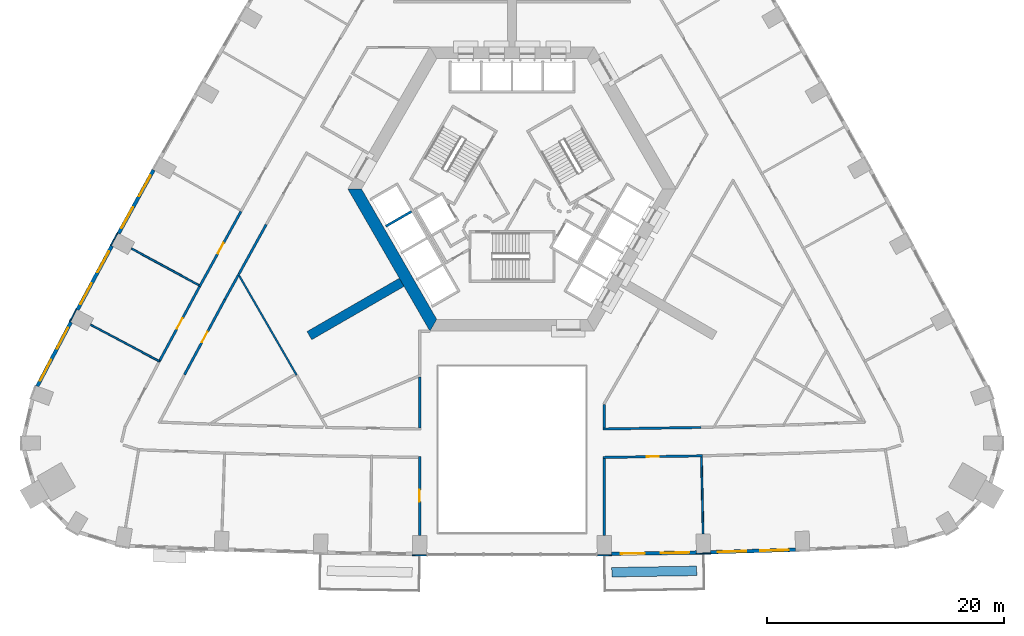
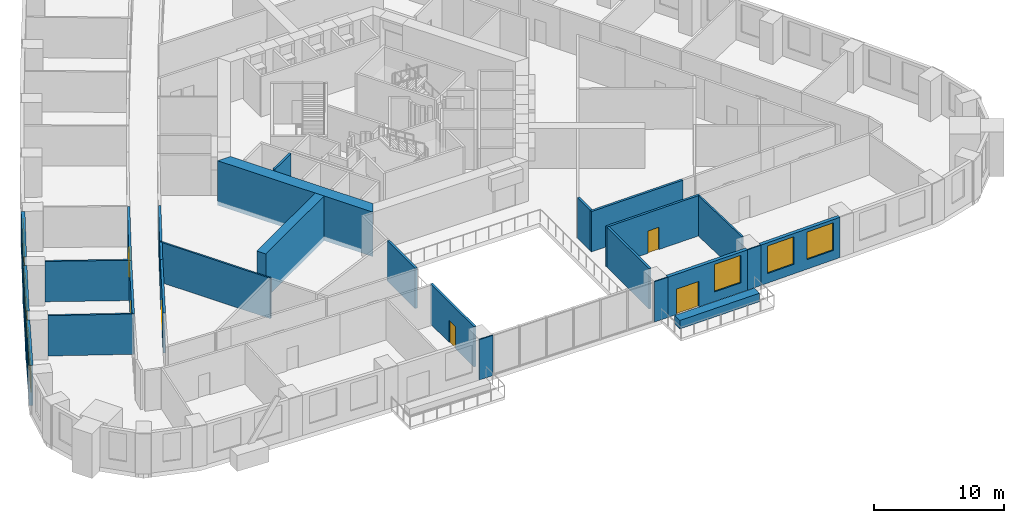
# One storey, part 5 of 15: 29 walls, 9 windows, 6 doors, 15 openings.
"""IFC4 building model written with IfcOpenShell, lengths in metres."""

from ifc_helpers import new_model, si_unit, direction, frame, frame_2d, origin, place, context, subcontext, project, spatial, polyline, rectangle, outline, extrude, material, layer, layer_set, type_object, element, fill, save


model = new_model("IFC4")

# Units and contexts
model_context = context("Model", 3, precision=1e-05, world=origin(), true_north=direction((0.0, 1.0)))
body_context = subcontext(model_context, "Body", "Model", "MODEL_VIEW")
ifc_project = project(units=[si_unit("LENGTHUNIT", "METRE"), si_unit("AREAUNIT", "SQUARE_METRE"), si_unit("VOLUMEUNIT", "CUBIC_METRE"), si_unit("PLANEANGLEUNIT", "RADIAN"), si_unit("MASSUNIT", "GRAM", prefix="KILO")], contexts=[model_context])

# Site, building, storey
site_placement = place(None, origin())
site = spatial("IfcSite", under=ifc_project, at=site_placement, CompositionType="ELEMENT")
building_placement = place(site_placement, origin())
building = spatial("IfcBuilding", under=site, at=building_placement, Name="Entoto Arch Interchange Tower", CompositionType="ELEMENT")
storey_placement = place(building_placement, frame((0.0, 0.0, 39.199951171875)))
storey = spatial("IfcBuildingStorey", under=building, at=storey_placement, Name="L07", CompositionType="ELEMENT", Elevation=39.199951171875)

# Walls
ifc_material_1 = material(Name="Concrete C60/75", Category="concrete")
ifc_layer_1 = layer(ifc_material_1, 0.800048828125)
ifc_layer_set_1 = layer_set([ifc_layer_1], Name="Concrete C60/75")
wall_type_1 = type_object("IfcWallType", Name="Buttress wall 800 C60/75", PredefinedType="SHEAR", material=ifc_layer_set_1)
wall_1_placement = place(storey_placement, frame((-9.31005859375, -5.375, -0.39990234375), z_axis=(0.0, 0.0, 1.0), x_axis=(-0.866017533419, -0.500013631625, 0.0)))
element("IfcWall", 1, at=wall_1_placement, inside=storey, type_object=wall_type_1, Name="Buttress wall SW L07", PredefinedType="SHEAR", context=body_context, shape_type="SweptSolid", body=[
    extrude(rectangle(XDim=8.999755859375, YDim=0.800048828125, at=frame_2d((4.5, 0.0))), origin(), (0.0, 0.0, 1.0), 4.199951171875),
])
ifc_layer_2 = layer(ifc_material_1, 1.0)
ifc_layer_set_2 = layer_set([ifc_layer_2], Name="Concrete C60/75")
wall_type_2 = type_object("IfcWallType", Name="Core wall 1000 C60/75", PredefinedType="SHEAR", material=ifc_layer_set_2)
wall_2_placement = place(storey_placement, frame((0.0, 0.0, -0.39990234375)))
element("IfcWall", 2, at=wall_2_placement, inside=storey, type_object=wall_type_2, Name="Core wall SW L07", PredefinedType="SHEAR", context=body_context, shape_type="SweptSolid", body=[
    extrude(outline(polyline([(-13.85595703125, 2.5), (-6.927978515625, -9.5), (-6.35107421875, -8.5), (-12.701904296875, 2.5), (-13.85595703125, 2.5)])), origin(), (0.0, 0.0, 1.0), 4.199951171875),
])
ifc_material_2 = material(Name="Concrete C40/50", Category="concrete")
ifc_layer_3 = layer(ifc_material_2, 0.199951171875)
ifc_layer_set_3 = layer_set([ifc_layer_3], Name="Concrete C40/50")
wall_type_3 = type_object("IfcWallType", Name="LIFT SHAFT WALL 200", PredefinedType="STANDARD", material=ifc_layer_set_3)
wall_3_placement = place(storey_placement, frame((-8.488037109375, 0.60205078125, 0.0), z_axis=(0.0, 0.0, 1.0), x_axis=(-0.866022959057, -0.500004234368, 0.0)))
element("IfcWall", 3, at=wall_3_placement, inside=storey, type_object=wall_type_3, Name="Shaft wall SW3 cross 2", PredefinedType="STANDARD", context=body_context, shape_type="SweptSolid", body=[
    extrude(rectangle(XDim=2.5, YDim=0.199951171875, at=frame_2d((1.25, 0.0))), origin(), (0.0, 0.0, 1.0), 3.800048828125),
])
ifc_material_3 = material(Name="Gypsum board partition on steel studs", Category="steel")
ifc_layer_4 = layer(ifc_material_3, 0.14990234375)
ifc_layer_set_4 = layer_set([ifc_layer_4], Name="Gypsum board partition on steel studs")
wall_type_4 = type_object("IfcWallType", Name="PARTITION 150", PredefinedType="PARTITIONING", material=ifc_layer_set_4)
wall_4_placement = place(storey_placement, frame((-18.181884765625, -13.20703125, 0.0), z_axis=(0.0, 0.0, 1.0), x_axis=(-0.500081416649, 0.865978392757, 0.0)))
element("IfcWall", 4, at=wall_4_placement, inside=storey, type_object=wall_type_4, Name="wall:L07:p122", PredefinedType="PARTITIONING", context=body_context, shape_type="SweptSolid", body=[
    extrude(rectangle(XDim=9.890380859375, YDim=0.14990234375, at=frame_2d((4.9453125, 0.0))), origin(), (0.0, 0.0, 1.0), 3.800048828125),
])
wall_5_placement = place(storey_placement, frame((15.988037109375, -20.123046875, 0.0), z_axis=(0.0, 0.0, 1.0), x_axis=(0.022230127358, -0.999752880185, 0.0)))
element("IfcWall", 5, at=wall_5_placement, inside=storey, type_object=wall_type_4, Name="wall:L07:p126", PredefinedType="PARTITIONING", context=body_context, shape_type="SweptSolid", body=[
    extrude(rectangle(XDim=6.479736328125, YDim=0.14990234375, at=frame_2d((3.23974609375, 0.0))), origin(), (0.0, 0.0, 1.0), 3.800048828125),
])
wall_6_placement = place(storey_placement, frame((-26.425048828125, -5.623046875, 0.0), z_axis=(0.0, 0.0, 1.0), x_axis=(-0.87825523631, 0.478192157919, 0.0)))
element("IfcWall", 6, at=wall_6_placement, inside=storey, type_object=wall_type_4, Name="wall:L07:p142", PredefinedType="PARTITIONING", context=body_context, shape_type="SweptSolid", body=[
    extrude(rectangle(XDim=6.48095703125, YDim=0.14990234375, at=frame_2d((3.240478515625, 0.0))), origin(), (0.0, 0.0, 1.0), 3.800048828125),
])
wall_7_placement = place(storey_placement, frame((-29.763916015625, -12.0400390625, 0.0), z_axis=(0.0, 0.0, 1.0), x_axis=(-0.883018657393, 0.469337885426, 0.0)))
element("IfcWall", 7, at=wall_7_placement, inside=storey, type_object=wall_type_4, Name="wall:L07:p143", PredefinedType="PARTITIONING", context=body_context, shape_type="SweptSolid", body=[
    extrude(rectangle(XDim=6.579833984375, YDim=0.14990234375, at=frame_2d((3.2900390625, 0.0))), origin(), (0.0, 0.0, 1.0), 3.800048828125),
])
ifc_layer_5 = layer(ifc_material_3, 0.199951171875)
ifc_layer_set_5 = layer_set([ifc_layer_5], Name="Gypsum board partition on steel studs")
wall_type_5 = type_object("IfcWallType", Name="PARTITION 200", PredefinedType="PARTITIONING", material=ifc_layer_set_5)
wall_8_placement = place(storey_placement, frame((7.699951171875, -17.758056640625, 0.0), z_axis=(0.0, 0.0, 1.0), x_axis=(0.999865574926, 0.016396099485, 0.0)))
element("IfcWall", 8, at=wall_8_placement, inside=storey, type_object=wall_type_5, Name="wall:L07:p014", PredefinedType="PARTITIONING", context=body_context, shape_type="SweptSolid", body=[
    extrude(rectangle(XDim=8.234375, YDim=0.199951171875, at=frame_2d((4.1171875, 0.0))), origin(), (0.0, 0.0, 1.0), 3.800048828125),
])
wall_9_placement = place(storey_placement, frame((-20.7509765625, -0.5048828125, 0.0), z_axis=(0.0, 0.0, 1.0), x_axis=(-0.482566110981, -0.875859548405, 0.0)))
element("IfcWall", 9, at=wall_9_placement, inside=storey, type_object=wall_type_5, Name="wall:L07:p027", PredefinedType="PARTITIONING", context=body_context, shape_type="SweptSolid", body=[
    extrude(rectangle(XDim=4.74755859375, YDim=0.199951171875, at=frame_2d((2.373779296875, 0.0))), origin(), (0.0, 0.0, 1.0), 3.800048828125),
])
wall_10_placement = place(storey_placement, frame((-23.114013671875, -4.7939453125, 0.0), z_axis=(0.0, 0.0, 1.0), x_axis=(-0.482482362329, -0.875905685586, 0.0)))
element("IfcWall", 10, at=wall_10_placement, inside=storey, type_object=wall_type_5, Name="wall:L07:p029", PredefinedType="PARTITIONING", context=body_context, shape_type="SweptSolid", body=[
    extrude(rectangle(XDim=2.31103515625, YDim=0.199951171875, at=frame_2d((1.155517578125, 0.0))), origin(), (0.0, 0.0, 1.0), 3.800048828125),
])

# Wall, opening, door
wall_11_placement = place(storey_placement, frame((-24.22900390625, -6.818115234375, 0.0), z_axis=(0.0, 0.0, 1.0), x_axis=(-0.473714049803, -0.88067871498, 0.0)))
wall_11 = element("IfcWall", 11, at=wall_11_placement, inside=storey, type_object=wall_type_5, Name="wall:L07:p030", PredefinedType="PARTITIONING", context=body_context, shape_type="SweptSolid", body=[
    extrude(rectangle(XDim=7.208984375, YDim=0.199951171875, at=frame_2d((3.6044921875, 0.0))), origin(), (0.0, 0.0, 1.0), 3.800048828125),
])
opening_1_placement = place(wall_11_placement, frame((3.10400390625, 0.0, 0.0)))
opening_1 = element("IfcOpeningElement", 12, at=opening_1_placement, cuts=wall_11, Name="Opening L07-D32", PredefinedType="OPENING", context=body_context, shape_type="SweptSolid", body=[
    extrude(rectangle(XDim=1.0, YDim=2.10009765625, at=frame_2d((0.5, 1.050048828125))), frame((0.0, 0.10986328125, 0.0), z_axis=(0.0, -1.0, 0.0), x_axis=(1.0, 0.0, 0.0)), (0.0, 0.0, 1.0), 0.219970703125),
])
ifc_material_4 = material(Name="Timber door leaf in Steel S235 frame", Category="steel")
door_type_1 = type_object("IfcDoorType", Name="DOOR DS-10 1000x2100", OperationType="SINGLE_SWING_LEFT", PredefinedType="DOOR", material=ifc_material_4)
door_1_placement = place(opening_1_placement, origin())
door_1 = element("IfcDoor", 13, at=door_1_placement, inside=storey, type_object=door_type_1, Name="door:L07:32", OperationType="SINGLE_SWING_RIGHT", OverallHeight=2.10009765625, OverallWidth=1.0, PredefinedType="DOOR", context=body_context, shape_type="SweptSolid", body=[
    extrude(rectangle(XDim=1.0, YDim=2.10009765625, at=frame_2d((0.5, 1.050048828125))), frame((0.0, 0.02490234375, 0.0), z_axis=(0.0, -1.0, 0.0), x_axis=(1.0, 0.0, 0.0)), (0.0, 0.0, 1.0), 0.050048828125),
])
fill(opening_1, door_1)

wall_12_placement = place(storey_placement, frame((16.06103515625, -20.02197265625, 0.0), z_axis=(0.0, 0.0, 1.0), x_axis=(-0.999865858466, -0.016378799504, 0.0)))
wall_12 = element("IfcWall", 14, at=wall_12_placement, inside=storey, type_object=wall_type_5, Name="wall:L07:p035", PredefinedType="PARTITIONING", context=body_context, shape_type="SweptSolid", body=[
    extrude(rectangle(XDim=8.3623046875, YDim=0.199951171875, at=frame_2d((4.18115234375, 0.0))), origin(), (0.0, 0.0, 1.0), 3.800048828125),
])
opening_2_placement = place(wall_12_placement, frame((3.680908203125, 0.0, 0.0)))
opening_2 = element("IfcOpeningElement", 15, at=opening_2_placement, cuts=wall_12, Name="Opening L07-D01", PredefinedType="OPENING", context=body_context, shape_type="SweptSolid", body=[
    extrude(rectangle(XDim=1.0, YDim=2.10009765625, at=frame_2d((0.5, 1.050048828125))), frame((0.0, 0.10986328125, 0.0), z_axis=(0.0, -1.0, 0.0), x_axis=(1.0, 0.0, 0.0)), (0.0, 0.0, 1.0), 0.219970703125),
])
door_2_placement = place(opening_2_placement, origin())
door_2 = element("IfcDoor", 16, at=door_2_placement, inside=storey, type_object=door_type_1, Name="door:L07:01", OperationType="SINGLE_SWING_RIGHT", OverallHeight=2.10009765625, OverallWidth=1.0, PredefinedType="DOOR", context=body_context, shape_type="SweptSolid", body=[
    extrude(rectangle(XDim=1.0, YDim=2.10009765625, at=frame_2d((0.5, 1.050048828125))), frame((0.0, 0.02490234375, 0.0), z_axis=(0.0, -1.0, 0.0), x_axis=(1.0, 0.0, 0.0)), (0.0, 0.0, 1.0), 0.050048828125),
])
fill(opening_2, door_2)

wall_13_placement = place(storey_placement, frame((-26.373046875, -5.736083984375, 0.0), z_axis=(0.0, 0.0, 1.0), x_axis=(0.482587313112, 0.875847866483, 0.0)))
wall_13 = element("IfcWall", 17, at=wall_13_placement, inside=storey, type_object=wall_type_5, Name="wall:L07:p064", PredefinedType="PARTITIONING", context=body_context, shape_type="SweptSolid", body=[
    extrude(rectangle(XDim=7.23193359375, YDim=0.199951171875, at=frame_2d((3.615966796875, 0.0))), origin(), (0.0, 0.0, 1.0), 3.800048828125),
])
opening_3_placement = place(wall_13_placement, frame((3.19091796875, 0.0, 0.0)))
opening_3 = element("IfcOpeningElement", 18, at=opening_3_placement, cuts=wall_13, Name="Opening L07-D17", PredefinedType="OPENING", context=body_context, shape_type="SweptSolid", body=[
    extrude(rectangle(XDim=1.0, YDim=2.10009765625, at=frame_2d((0.5, 1.050048828125))), frame((0.0, 0.10986328125, 0.0), z_axis=(0.0, -1.0, 0.0), x_axis=(1.0, 0.0, 0.0)), (0.0, 0.0, 1.0), 0.219970703125),
])
door_3_placement = place(opening_3_placement, origin())
door_3 = element("IfcDoor", 19, at=door_3_placement, inside=storey, type_object=door_type_1, Name="door:L07:17", OperationType="SINGLE_SWING_LEFT", OverallHeight=2.10009765625, OverallWidth=1.0, PredefinedType="DOOR", context=body_context, shape_type="SweptSolid", body=[
    extrude(rectangle(XDim=1.0, YDim=2.10009765625, at=frame_2d((0.5, 1.050048828125))), frame((0.0, 0.02490234375, 0.0), z_axis=(0.0, -1.0, 0.0), x_axis=(1.0, 0.0, 0.0)), (0.0, 0.0, 1.0), 0.050048828125),
])
fill(opening_3, door_3)

wall_14_placement = place(storey_placement, frame((-29.799072265625, -12.10595703125, 0.0), z_axis=(0.0, 0.0, 1.0), x_axis=(0.473681086062, 0.880696445268, 0.0)))
wall_14 = element("IfcWall", 20, at=wall_14_placement, inside=storey, type_object=wall_type_5, Name="wall:L07:p065", PredefinedType="PARTITIONING", context=body_context, shape_type="SweptSolid", body=[
    extrude(rectangle(XDim=7.232666015625, YDim=0.199951171875, at=frame_2d((3.6162109375, 0.0))), origin(), (0.0, 0.0, 1.0), 3.800048828125),
])
opening_4_placement = place(wall_14_placement, frame((3.19091796875, 0.0, 0.0)))
opening_4 = element("IfcOpeningElement", 21, at=opening_4_placement, cuts=wall_14, Name="Opening L07-D18", PredefinedType="OPENING", context=body_context, shape_type="SweptSolid", body=[
    extrude(rectangle(XDim=1.0, YDim=2.10009765625, at=frame_2d((0.5, 1.050048828125))), frame((0.0, 0.10986328125, 0.0), z_axis=(0.0, -1.0, 0.0), x_axis=(1.0, 0.0, 0.0)), (0.0, 0.0, 1.0), 0.219970703125),
])
door_4_placement = place(opening_4_placement, origin())
door_4 = element("IfcDoor", 22, at=door_4_placement, inside=storey, type_object=door_type_1, Name="door:L07:18", OperationType="SINGLE_SWING_RIGHT", OverallHeight=2.10009765625, OverallWidth=1.0, PredefinedType="DOOR", context=body_context, shape_type="SweptSolid", body=[
    extrude(rectangle(XDim=1.0, YDim=2.10009765625, at=frame_2d((0.5, 1.050048828125))), frame((0.0, 0.02490234375, 0.0), z_axis=(0.0, -1.0, 0.0), x_axis=(1.0, 0.0, 0.0)), (0.0, 0.0, 1.0), 0.050048828125),
])
fill(opening_4, door_4)

# Walls
wall_15_placement = place(storey_placement, frame((7.800048828125, -15.68994140625, 0.0), z_axis=(0.0, 0.0, 1.0), x_axis=(0.0, -1.0, 0.0)))
element("IfcWall", 23, at=wall_15_placement, inside=storey, type_object=wall_type_5, Name="wall:L07:p104", PredefinedType="PARTITIONING", context=body_context, shape_type="SweptSolid", body=[
    extrude(rectangle(XDim=1.967041015625, YDim=0.199951171875, at=frame_2d((0.9833984375, 0.0))), origin(), (0.0, 0.0, 1.0), 3.800048828125),
])
wall_16_placement = place(storey_placement, frame((-7.800048828125, -17.656982421875, 0.0), z_axis=(0.0, 0.0, 1.0), x_axis=(0.0, 1.0, 0.0)))
element("IfcWall", 24, at=wall_16_placement, inside=storey, type_object=wall_type_5, Name="wall:L07:p107", PredefinedType="PARTITIONING", context=body_context, shape_type="SweptSolid", body=[
    extrude(rectangle(XDim=4.2958984375, YDim=0.199951171875, at=frame_2d((2.14794921875, 0.0))), origin(), (0.0, 0.0, 1.0), 3.800048828125),
])
wall_17_placement = place(storey_placement, frame((7.800048828125, -20.257080078125, 0.0), z_axis=(0.0, 0.0, 1.0), x_axis=(0.0, -1.0, 0.0)))
element("IfcWall", 25, at=wall_17_placement, inside=storey, type_object=wall_type_5, Name="wall:L07:p108", PredefinedType="PARTITIONING", context=body_context, shape_type="SweptSolid", body=[
    extrude(rectangle(XDim=6.48095703125, YDim=0.199951171875, at=frame_2d((3.240478515625, 0.0))), origin(), (0.0, 0.0, 1.0), 3.800048828125),
])

# Wall, opening, door
wall_18_placement = place(storey_placement, frame((-7.800048828125, -26.738037109375, 0.0), z_axis=(0.0, 0.0, 1.0), x_axis=(0.0, 1.0, 0.0)))
wall_18 = element("IfcWall", 26, at=wall_18_placement, inside=storey, type_object=wall_type_5, Name="wall:L07:p109", PredefinedType="PARTITIONING", context=body_context, shape_type="SweptSolid", body=[
    extrude(rectangle(XDim=6.68115234375, YDim=0.199951171875, at=frame_2d((3.340576171875, 0.0))), origin(), (0.0, 0.0, 1.0), 3.800048828125),
])
opening_5_placement = place(wall_18_placement, frame((2.841064453125, 0.0, 0.0)))
opening_5 = element("IfcOpeningElement", 27, at=opening_5_placement, cuts=wall_18, Name="Opening L07-D22", PredefinedType="OPENING", context=body_context, shape_type="SweptSolid", body=[
    extrude(rectangle(XDim=1.0, YDim=2.10009765625, at=frame_2d((0.5, 1.050048828125))), frame((0.0, 0.10986328125, 0.0), z_axis=(0.0, -1.0, 0.0), x_axis=(1.0, 0.0, 0.0)), (0.0, 0.0, 1.0), 0.219970703125),
])
door_5_placement = place(opening_5_placement, origin())
door_5 = element("IfcDoor", 28, at=door_5_placement, inside=storey, type_object=door_type_1, Name="door:L07:22", OperationType="SINGLE_SWING_LEFT", OverallHeight=2.10009765625, OverallWidth=1.0, PredefinedType="DOOR", context=body_context, shape_type="SweptSolid", body=[
    extrude(rectangle(XDim=1.0, YDim=2.10009765625, at=frame_2d((0.5, 1.050048828125))), frame((0.0, 0.02490234375, 0.0), z_axis=(0.0, -1.0, 0.0), x_axis=(1.0, 0.0, 0.0)), (0.0, 0.0, 1.0), 0.050048828125),
])
fill(opening_5, door_5)

# Wall
ifc_material_5 = material(Name="Board-marked precast concrete C50/60", Category="concrete")
ifc_layer_6 = layer(ifc_material_5, 0.800048828125)
ifc_layer_set_6 = layer_set([ifc_layer_6], Name="Board-marked precast concrete C50/60")
wall_type_6 = type_object("IfcWallType", Name="PLANTER RC 800 Olea europaea subsp. cuspidata", PredefinedType="STANDARD", material=ifc_layer_set_6)
wall_19_placement = place(storey_placement, frame((8.423095703125, -29.847900390625, 0.0), z_axis=(0.0, 0.0, 1.0), x_axis=(0.999867014084, 0.016308100645, 0.0)))
element("IfcWall", 29, at=wall_19_placement, inside=storey, type_object=wall_type_6, Name="Planter S-05 L07", PredefinedType="STANDARD", context=body_context, shape_type="SweptSolid", body=[
    extrude(rectangle(XDim=7.1708984375, YDim=0.800048828125, at=frame_2d((3.58544921875, 0.0))), origin(), (0.0, 0.0, 1.0), 0.800048828125),
])

# Wall, openings, door, window
ifc_material_6 = material(Name="Welded tuff (ignimbrite) cladding, warm buff", Category="masonry")
ifc_layer_7 = layer(ifc_material_6, 0.300048828125)
ifc_layer_set_7 = layer_set([ifc_layer_7], Name="Welded tuff (ignimbrite) cladding, warm buff")
wall_type_7 = type_object("IfcWallType", Name="STONE INFILL WALL 300", PredefinedType="STANDARD", material=ifc_layer_set_7)
wall_20_placement = place(storey_placement, frame((8.39794921875, -28.298095703125, 0.0), z_axis=(0.0, 0.0, 1.0), x_axis=(0.999866467443, 0.016341581408, 0.0)))
wall_20 = element("IfcWall", 30, at=wall_20_placement, inside=storey, type_object=wall_type_7, Name="Facade wall S-05 L07", PredefinedType="STANDARD", context=body_context, shape_type="SweptSolid", body=[
    extrude(rectangle(XDim=7.171142578125, YDim=0.300048828125, at=frame_2d((3.58544921875, 0.0))), origin(), (0.0, 0.0, 1.0), 3.800048828125),
])
opening_6_placement = place(wall_20_placement, frame((0.79296875, 0.0, 0.0)))
opening_6 = element("IfcOpeningElement", 31, at=opening_6_placement, cuts=wall_20, Name="Opening DB-S-05-L07", PredefinedType="OPENING", context=body_context, shape_type="SweptSolid", body=[
    extrude(rectangle(XDim=2.0, YDim=2.39990234375, at=frame_2d((1.0, 1.199951171875))), frame((0.0, 0.16015625, 0.0), z_axis=(0.0, -1.0, 0.0), x_axis=(1.0, 0.0, 0.0)), (0.0, 0.0, 1.0), 0.320068359375),
])
opening_7_placement = place(wall_20_placement, frame((4.177978515625, 0.0, 0.89990234375)))
opening_7 = element("IfcOpeningElement", 32, at=opening_7_placement, cuts=wall_20, Name="Opening WO-A", PredefinedType="OPENING", context=body_context, shape_type="SweptSolid", body=[
    extrude(rectangle(XDim=2.39990234375, YDim=2.60009765625, at=frame_2d((1.199951171875, 1.300048828125))), frame((0.0, 0.16015625, 0.0), z_axis=(0.0, -1.0, 0.0), x_axis=(1.0, 0.0, 0.0)), (0.0, 0.0, 1.0), 0.320068359375),
])
ifc_material_7 = material(Name="Aluminium and clear glass, anodised", Category="aluminium")
door_type_2 = type_object("IfcDoorType", Name="BALCONY DOOR DB 2000x2400", OperationType="SLIDING_TO_LEFT", PredefinedType="DOOR", material=ifc_material_7)
door_6_placement = place(opening_6_placement, origin())
door_6 = element("IfcDoor", 33, at=door_6_placement, inside=storey, type_object=door_type_2, Name="Balcony door S-05 L07", OperationType="SLIDING_TO_LEFT", OverallHeight=2.39990234375, OverallWidth=2.0, PredefinedType="DOOR", context=body_context, shape_type="SweptSolid", body=[
    extrude(rectangle(XDim=2.0, YDim=2.39990234375, at=frame_2d((1.0, 1.199951171875))), frame((0.0, 0.02490234375, 0.0), z_axis=(0.0, -1.0, 0.0), x_axis=(1.0, 0.0, 0.0)), (0.0, 0.0, 1.0), 0.050048828125),
])
fill(opening_6, door_6)
ifc_material_8 = material(Name="Clear glass, low-e double glazed", Category="glass")
window_type_1 = type_object("IfcWindowType", Name="WINDOW WO-A 2400x2600", PartitioningType="DOUBLE_PANEL_VERTICAL", PredefinedType="WINDOW", material=ifc_material_8)
window_1_placement = place(opening_7_placement, origin())
window_1 = element("IfcWindow", 34, at=window_1_placement, inside=storey, type_object=window_type_1, Name="Window WO-A S-05 L07", OverallHeight=2.60009765625, OverallWidth=2.39990234375, PartitioningType="SINGLE_PANEL", PredefinedType="WINDOW", context=body_context, shape_type="SweptSolid", body=[
    extrude(rectangle(XDim=2.39990234375, YDim=2.60009765625, at=frame_2d((1.199951171875, 1.300048828125))), frame((0.0, 0.030029296875, 0.0), z_axis=(0.0, -1.0, 0.0), x_axis=(1.0, 0.0, 0.0)), (0.0, 0.0, 1.0), 0.06005859375),
])
fill(opening_7, window_1)

# Wall, openings, windows
wall_21_placement = place(storey_placement, frame((16.764892578125, -28.154052734375, 0.0), z_axis=(0.0, 0.0, 1.0), x_axis=(0.999611502654, 0.02787191709, 0.0)))
wall_21 = element("IfcWall", 35, at=wall_21_placement, inside=storey, type_object=wall_type_7, Name="Facade wall S-06 L07", PredefinedType="STANDARD", context=body_context, shape_type="SweptSolid", body=[
    extrude(rectangle(XDim=7.173828125, YDim=0.300048828125, at=frame_2d((3.5869140625, 0.0))), origin(), (0.0, 0.0, 1.0), 3.800048828125),
])
opening_8_placement = place(wall_21_placement, frame((0.593017578125, 0.0, 0.89990234375)))
opening_8 = element("IfcOpeningElement", 36, at=opening_8_placement, cuts=wall_21, Name="Opening WO-A", PredefinedType="OPENING", context=body_context, shape_type="SweptSolid", body=[
    extrude(rectangle(XDim=2.39990234375, YDim=2.60009765625, at=frame_2d((1.199951171875, 1.300048828125))), frame((0.0, 0.16015625, 0.0), z_axis=(0.0, -1.0, 0.0), x_axis=(1.0, 0.0, 0.0)), (0.0, 0.0, 1.0), 0.320068359375),
])
opening_9_placement = place(wall_21_placement, frame((4.179931640625, 0.0, 0.89990234375)))
opening_9 = element("IfcOpeningElement", 37, at=opening_9_placement, cuts=wall_21, Name="Opening WO-A", PredefinedType="OPENING", context=body_context, shape_type="SweptSolid", body=[
    extrude(rectangle(XDim=2.39990234375, YDim=2.60009765625, at=frame_2d((1.199951171875, 1.300048828125))), frame((0.0, 0.16015625, 0.0), z_axis=(0.0, -1.0, 0.0), x_axis=(1.0, 0.0, 0.0)), (0.0, 0.0, 1.0), 0.320068359375),
])
window_2_placement = place(opening_8_placement, origin())
window_2 = element("IfcWindow", 38, at=window_2_placement, inside=storey, type_object=window_type_1, Name="Window WO-A S-06 L07", OverallHeight=2.60009765625, OverallWidth=2.39990234375, PartitioningType="SINGLE_PANEL", PredefinedType="WINDOW", context=body_context, shape_type="SweptSolid", body=[
    extrude(rectangle(XDim=2.39990234375, YDim=2.60009765625, at=frame_2d((1.199951171875, 1.300048828125))), frame((0.0, 0.030029296875, 0.0), z_axis=(0.0, -1.0, 0.0), x_axis=(1.0, 0.0, 0.0)), (0.0, 0.0, 1.0), 0.06005859375),
])
fill(opening_8, window_2)
window_3_placement = place(opening_9_placement, origin())
window_3 = element("IfcWindow", 39, at=window_3_placement, inside=storey, type_object=window_type_1, Name="Window WO-A S-06 L07", OverallHeight=2.60009765625, OverallWidth=2.39990234375, PartitioningType="SINGLE_PANEL", PredefinedType="WINDOW", context=body_context, shape_type="SweptSolid", body=[
    extrude(rectangle(XDim=2.39990234375, YDim=2.60009765625, at=frame_2d((1.199951171875, 1.300048828125))), frame((0.0, 0.030029296875, 0.0), z_axis=(0.0, -1.0, 0.0), x_axis=(1.0, 0.0, 0.0)), (0.0, 0.0, 1.0), 0.06005859375),
])
fill(opening_9, window_3)

wall_22_placement = place(storey_placement, frame((-30.2548828125, 4.10693359375, 0.0), z_axis=(0.0, 0.0, 1.0), x_axis=(-0.482596003603, -0.875843078015, 0.0)))
wall_22 = element("IfcWall", 40, at=wall_22_placement, inside=storey, type_object=wall_type_7, Name="Facade wall NW-07 L07", PredefinedType="STANDARD", context=body_context, shape_type="SweptSolid", body=[
    extrude(rectangle(XDim=6.115234375, YDim=0.300048828125, at=frame_2d((3.0576171875, 0.0))), origin(), (0.0, 0.0, 1.0), 3.800048828125),
])
opening_10_placement = place(wall_22_placement, frame((0.529052734375, 0.0, 0.89990234375)))
opening_10 = element("IfcOpeningElement", 41, at=opening_10_placement, cuts=wall_22, Name="Opening WO-C", PredefinedType="OPENING", context=body_context, shape_type="SweptSolid", body=[
    extrude(rectangle(XDim=2.0, YDim=2.60009765625, at=frame_2d((1.0, 1.300048828125))), frame((0.0, 0.16015625, 0.0), z_axis=(0.0, -1.0, 0.0), x_axis=(1.0, 0.0, 0.0)), (0.0, 0.0, 1.0), 0.320068359375),
])
opening_11_placement = place(wall_22_placement, frame((3.5859375, 0.0, 0.89990234375)))
opening_11 = element("IfcOpeningElement", 42, at=opening_11_placement, cuts=wall_22, Name="Opening WO-C", PredefinedType="OPENING", context=body_context, shape_type="SweptSolid", body=[
    extrude(rectangle(XDim=2.0, YDim=2.60009765625, at=frame_2d((1.0, 1.300048828125))), frame((0.0, 0.16015625, 0.0), z_axis=(0.0, -1.0, 0.0), x_axis=(1.0, 0.0, 0.0)), (0.0, 0.0, 1.0), 0.320068359375),
])
window_type_2 = type_object("IfcWindowType", Name="WINDOW WO-C 2000x2600", PartitioningType="DOUBLE_PANEL_VERTICAL", PredefinedType="WINDOW", material=ifc_material_8)
window_4_placement = place(opening_10_placement, origin())
window_4 = element("IfcWindow", 43, at=window_4_placement, inside=storey, type_object=window_type_2, Name="Window WO-C NW-07 L07", OverallHeight=2.60009765625, OverallWidth=2.0, PartitioningType="SINGLE_PANEL", PredefinedType="WINDOW", context=body_context, shape_type="SweptSolid", body=[
    extrude(rectangle(XDim=2.0, YDim=2.60009765625, at=frame_2d((1.0, 1.300048828125))), frame((0.0, 0.030029296875, 0.0), z_axis=(0.0, -1.0, 0.0), x_axis=(1.0, 0.0, 0.0)), (0.0, 0.0, 1.0), 0.06005859375),
])
fill(opening_10, window_4)
window_5_placement = place(opening_11_placement, origin())
window_5 = element("IfcWindow", 44, at=window_5_placement, inside=storey, type_object=window_type_2, Name="Window WO-C NW-07 L07", OverallHeight=2.60009765625, OverallWidth=2.0, PartitioningType="SINGLE_PANEL", PredefinedType="WINDOW", context=body_context, shape_type="SweptSolid", body=[
    extrude(rectangle(XDim=2.0, YDim=2.60009765625, at=frame_2d((1.0, 1.300048828125))), frame((0.0, 0.030029296875, 0.0), z_axis=(0.0, -1.0, 0.0), x_axis=(1.0, 0.0, 0.0)), (0.0, 0.0, 1.0), 0.06005859375),
])
fill(opening_11, window_5)

wall_23_placement = place(storey_placement, frame((-33.779052734375, -2.301025390625, 0.0), z_axis=(0.0, 0.0, 1.0), x_axis=(-0.47375467653, -0.880656860795, 0.0)))
wall_23 = element("IfcWall", 45, at=wall_23_placement, inside=storey, type_object=wall_type_7, Name="Facade wall NW-08 L07", PredefinedType="STANDARD", context=body_context, shape_type="SweptSolid", body=[
    extrude(rectangle(XDim=6.116943359375, YDim=0.300048828125, at=frame_2d((3.05859375, 0.0))), origin(), (0.0, 0.0, 1.0), 3.800048828125),
])
opening_12_placement = place(wall_23_placement, frame((0.529052734375, 0.0, 0.89990234375)))
opening_12 = element("IfcOpeningElement", 46, at=opening_12_placement, cuts=wall_23, Name="Opening WO-C", PredefinedType="OPENING", context=body_context, shape_type="SweptSolid", body=[
    extrude(rectangle(XDim=2.0, YDim=2.60009765625, at=frame_2d((1.0, 1.300048828125))), frame((0.0, 0.16015625, 0.0), z_axis=(0.0, -1.0, 0.0), x_axis=(1.0, 0.0, 0.0)), (0.0, 0.0, 1.0), 0.320068359375),
])
opening_13_placement = place(wall_23_placement, frame((3.587890625, 0.0, 0.89990234375)))
opening_13 = element("IfcOpeningElement", 47, at=opening_13_placement, cuts=wall_23, Name="Opening WO-C", PredefinedType="OPENING", context=body_context, shape_type="SweptSolid", body=[
    extrude(rectangle(XDim=2.0, YDim=2.60009765625, at=frame_2d((1.0, 1.300048828125))), frame((0.0, 0.16015625, 0.0), z_axis=(0.0, -1.0, 0.0), x_axis=(1.0, 0.0, 0.0)), (0.0, 0.0, 1.0), 0.320068359375),
])
window_6_placement = place(opening_12_placement, origin())
window_6 = element("IfcWindow", 48, at=window_6_placement, inside=storey, type_object=window_type_2, Name="Window WO-C NW-08 L07", OverallHeight=2.60009765625, OverallWidth=2.0, PartitioningType="SINGLE_PANEL", PredefinedType="WINDOW", context=body_context, shape_type="SweptSolid", body=[
    extrude(rectangle(XDim=2.0, YDim=2.60009765625, at=frame_2d((1.0, 1.300048828125))), frame((0.0, 0.030029296875, 0.0), z_axis=(0.0, -1.0, 0.0), x_axis=(1.0, 0.0, 0.0)), (0.0, 0.0, 1.0), 0.06005859375),
])
fill(opening_12, window_6)
window_7_placement = place(opening_13_placement, origin())
window_7 = element("IfcWindow", 49, at=window_7_placement, inside=storey, type_object=window_type_2, Name="Window WO-C NW-08 L07", OverallHeight=2.60009765625, OverallWidth=2.0, PartitioningType="SINGLE_PANEL", PredefinedType="WINDOW", context=body_context, shape_type="SweptSolid", body=[
    extrude(rectangle(XDim=2.0, YDim=2.60009765625, at=frame_2d((1.0, 1.300048828125))), frame((0.0, 0.030029296875, 0.0), z_axis=(0.0, -1.0, 0.0), x_axis=(1.0, 0.0, 0.0)), (0.0, 0.0, 1.0), 0.06005859375),
])
fill(opening_13, window_7)

wall_24_placement = place(storey_placement, frame((-37.239013671875, -8.74609375, 0.0), z_axis=(0.0, 0.0, 1.0), x_axis=(-0.464913987781, -0.885355851602, 0.0)))
wall_24 = element("IfcWall", 50, at=wall_24_placement, inside=storey, type_object=wall_type_7, Name="Facade wall NW-09 L07", PredefinedType="STANDARD", context=body_context, shape_type="SweptSolid", body=[
    extrude(rectangle(XDim=6.093505859375, YDim=0.300048828125, at=frame_2d((3.046875, 0.0))), origin(), (0.0, 0.0, 1.0), 3.800048828125),
])
opening_14_placement = place(wall_24_placement, frame((0.52294921875, 0.0, 0.89990234375)))
opening_14 = element("IfcOpeningElement", 51, at=opening_14_placement, cuts=wall_24, Name="Opening WO-C", PredefinedType="OPENING", context=body_context, shape_type="SweptSolid", body=[
    extrude(rectangle(XDim=2.0, YDim=2.60009765625, at=frame_2d((1.0, 1.300048828125))), frame((0.0, 0.16015625, 0.0), z_axis=(0.0, -1.0, 0.0), x_axis=(1.0, 0.0, 0.0)), (0.0, 0.0, 1.0), 0.320068359375),
])
opening_15_placement = place(wall_24_placement, frame((3.570068359375, 0.0, 0.89990234375)))
opening_15 = element("IfcOpeningElement", 52, at=opening_15_placement, cuts=wall_24, Name="Opening WO-C", PredefinedType="OPENING", context=body_context, shape_type="SweptSolid", body=[
    extrude(rectangle(XDim=2.0, YDim=2.60009765625, at=frame_2d((1.0, 1.300048828125))), frame((0.0, 0.16015625, 0.0), z_axis=(0.0, -1.0, 0.0), x_axis=(1.0, 0.0, 0.0)), (0.0, 0.0, 1.0), 0.320068359375),
])
window_8_placement = place(opening_14_placement, origin())
window_8 = element("IfcWindow", 53, at=window_8_placement, inside=storey, type_object=window_type_2, Name="Window WO-C NW-09 L07", OverallHeight=2.60009765625, OverallWidth=2.0, PartitioningType="SINGLE_PANEL", PredefinedType="WINDOW", context=body_context, shape_type="SweptSolid", body=[
    extrude(rectangle(XDim=2.0, YDim=2.60009765625, at=frame_2d((1.0, 1.300048828125))), frame((0.0, 0.030029296875, 0.0), z_axis=(0.0, -1.0, 0.0), x_axis=(1.0, 0.0, 0.0)), (0.0, 0.0, 1.0), 0.06005859375),
])
fill(opening_14, window_8)
window_9_placement = place(opening_15_placement, origin())
window_9 = element("IfcWindow", 54, at=window_9_placement, inside=storey, type_object=window_type_2, Name="Window WO-C NW-09 L07", OverallHeight=2.60009765625, OverallWidth=2.0, PartitioningType="SINGLE_PANEL", PredefinedType="WINDOW", context=body_context, shape_type="SweptSolid", body=[
    extrude(rectangle(XDim=2.0, YDim=2.60009765625, at=frame_2d((1.0, 1.300048828125))), frame((0.0, 0.030029296875, 0.0), z_axis=(0.0, -1.0, 0.0), x_axis=(1.0, 0.0, 0.0)), (0.0, 0.0, 1.0), 0.06005859375),
])
fill(opening_15, window_9)

# Walls
ifc_layer_8 = layer(ifc_material_6, 0.10009765625)
ifc_layer_set_8 = layer_set([ifc_layer_8], Name="Welded tuff (ignimbrite) cladding, warm buff")
wall_type_8 = type_object("IfcWallType", Name="STONE PIER CLADDING 100", PredefinedType="STANDARD", material=ifc_layer_set_8)
wall_25_placement = place(storey_placement, frame((-33.2958984375, -1.198974609375, 0.0), z_axis=(0.0, 0.0, 1.0), x_axis=(-0.478424520456, -0.878128679765, 0.0)))
element("IfcWall", 55, at=wall_25_placement, inside=storey, type_object=wall_type_8, Name="Stone pier NW08 L07", PredefinedType="STANDARD", context=body_context, shape_type="SweptSolid", body=[
    extrude(rectangle(XDim=1.2001953125, YDim=0.10009765625, at=frame_2d((0.60009765625, 0.0))), origin(), (0.0, 0.0, 1.0), 3.800048828125),
])
wall_26_placement = place(storey_placement, frame((-36.76708984375, -7.638916015625, 0.0), z_axis=(0.0, 0.0, 1.0), x_axis=(-0.469383408131, -0.882994459876, 0.0)))
element("IfcWall", 56, at=wall_26_placement, inside=storey, type_object=wall_type_8, Name="Stone pier NW09 L07", PredefinedType="STANDARD", context=body_context, shape_type="SweptSolid", body=[
    extrude(rectangle(XDim=1.199462890625, YDim=0.10009765625, at=frame_2d((0.599609375, 0.0))), origin(), (0.0, 0.0, 1.0), 3.800048828125),
])
for number, where, z_axis, x_axis, name in (
    (57, (-8.39990234375, -28.403076171875, 0.0), (0.0, 0.0, 1.0), (0.999965208912, -0.008341520563, 0.0), "Stone pier S04 L07"),
    (58, (7.199951171875, -28.4130859375, 0.0), (0.0, 0.0, 1.0), (0.999965208912, 0.008341520563, 0.0), "Stone pier S05 L07"),
):
    element("IfcWall", number, at=place(storey_placement, frame(where, z_axis=z_axis, x_axis=x_axis)), inside=storey, type_object=wall_type_8, Name=name, PredefinedType="STANDARD", context=body_context, shape_type="SweptSolid", body=[
        extrude(rectangle(XDim=1.199951171875, YDim=0.10009765625, at=frame_2d((0.60009765625, 0.0))), origin(), (0.0, 0.0, 1.0), 3.800048828125),
    ])
wall_27_placement = place(storey_placement, frame((15.569091796875, -28.283935546875, 0.0), z_axis=(0.0, 0.0, 1.0), x_axis=(0.99976752127, 0.021561618973, 0.0)))
element("IfcWall", 59, at=wall_27_placement, inside=storey, type_object=wall_type_8, Name="Stone pier S06 L07", PredefinedType="STANDARD", context=body_context, shape_type="SweptSolid", body=[
    extrude(rectangle(XDim=1.2001953125, YDim=0.10009765625, at=frame_2d((0.60009765625, 0.0))), origin(), (0.0, 0.0, 1.0), 3.800048828125),
])

save(model, "model.ifc")
